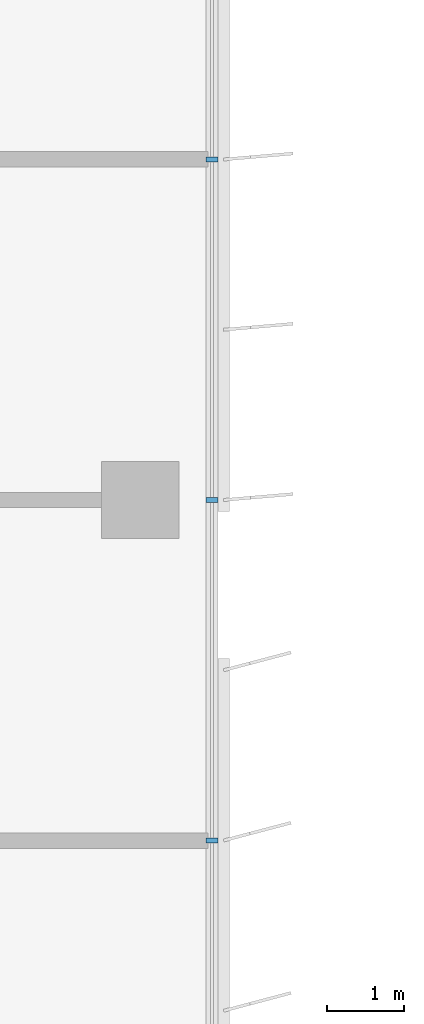
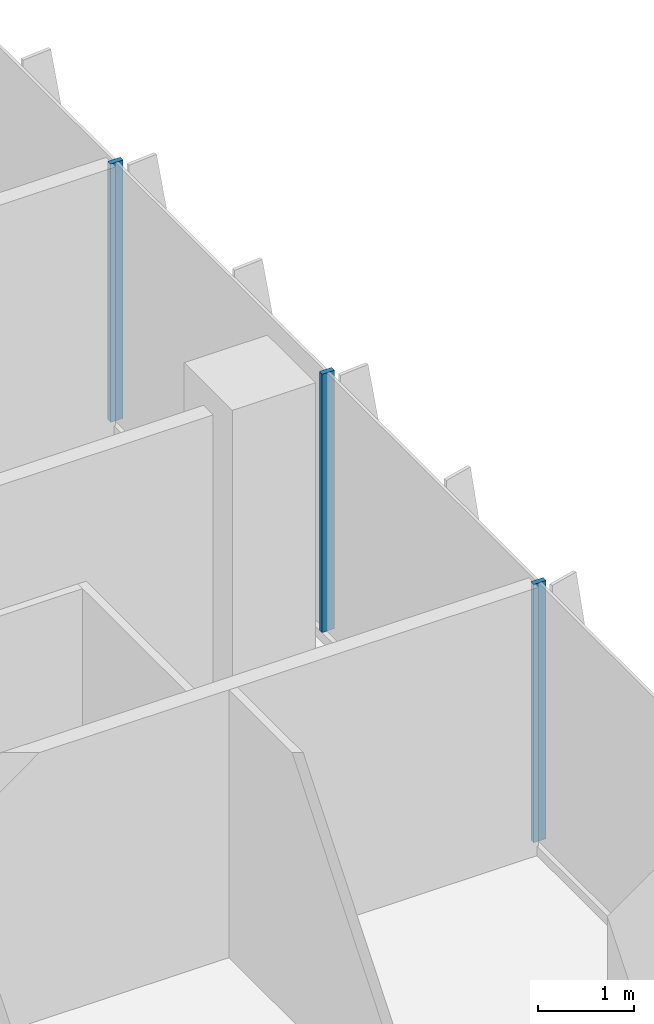
# One storey, part 5 of 21: 3 members, 1 element without a shape of its own.
"""IFC4 building model written with IfcOpenShell, lengths in metres."""

from ifc_helpers import new_model, si_unit, direction, frame, origin, origin_2d, place, context, subcontext, project, spatial, rectangle, extrude, source, transform, mapped, material, material_profile, profile_set, type_object, element, aggregate, save


model = new_model("IFC4")

# Units and contexts
model_context = context("Model", 3, precision=1e-05, world=origin(), true_north=direction((0.0, 1.0)))
body_context = subcontext(model_context, "Body", "Model", "MODEL_VIEW")
ifc_project = project(units=[si_unit("LENGTHUNIT", "METRE"), si_unit("AREAUNIT", "SQUARE_METRE"), si_unit("VOLUMEUNIT", "CUBIC_METRE"), si_unit("PLANEANGLEUNIT", "RADIAN"), si_unit("MASSUNIT", "GRAM", prefix="KILO")], contexts=[model_context])

# Site, building, storey
site_placement = place(None, origin())
site = spatial("IfcSite", under=ifc_project, at=site_placement, CompositionType="ELEMENT")
building_placement = place(site_placement, origin())
building = spatial("IfcBuilding", under=site, at=building_placement, Name="Kemantara Hotel Tower", CompositionType="ELEMENT")
storey_placement = place(building_placement, frame((0.0, 0.0, 182.699951171875)))
storey = spatial("IfcBuildingStorey", under=building, at=storey_placement, Name="L45", CompositionType="ELEMENT", Elevation=182.699951171875)

# Curtain wall, members
ifc_material_1 = material(Name="Low-E tinted double insulated glass 36 mm", Category="glass")
curtain_wall_type = type_object("IfcCurtainWallType", Name="TOWER CURTAIN WALL, FRONT FACES", PredefinedType="USERDEFINED", material=ifc_material_1)
curtain_wall_placement = place(storey_placement, origin())
curtain_wall = element("IfcCurtainWall", 1, at=curtain_wall_placement, inside=storey, type_object=curtain_wall_type, Name="CW4 L45 T3-R17-1", ObjectType="TOWER CURTAIN WALL, FRONT FACES", PredefinedType="USERDEFINED")
ifc_material_2 = material(Name="Aluminium 6063-T6 bronze anodised", Category="aluminium")
ifc_material_profile = material_profile(ifc_material_2, rectangle(XDim=0.14990234375, YDim=0.06005859375, at=origin_2d()), Name="TOWER CURTAIN WALL, FRONT FACES MULLION")
ifc_profile_set = profile_set([ifc_material_profile], Name="Aluminium 6063-T6 bronze anodised")
member_type = type_object("IfcMemberType", Name="TOWER CURTAIN WALL, FRONT FACES MULLION", PredefinedType="MULLION", material=ifc_profile_set)
shared_shape = source(origin(), body_context, "Body", "SweptSolid", [
    extrude(rectangle(XDim=0.14990234375, YDim=0.06005859375, at=origin_2d()), origin(), (0.0, 0.0, 1.0), 3.280029296875),
])
member_1_placement = place(storey_placement, frame((21.925048828125, 31.800048828125, 0.1201171875), z_axis=(0.0, 0.0, 1.0), x_axis=(-1.0, 0.0, 0.0)))
member_1 = element("IfcMember", 2, at=member_1_placement, type_object=member_type, Name="CW4 mullion T3-R17-1.3", PredefinedType="MULLION", context=body_context, shape_type="MappedRepresentation", body=[
    mapped(shared_shape, transform((0.0, 0.0, 0.0))),
])
member_2_placement = place(storey_placement, frame((21.925048828125, 36.199951171875, 0.1201171875), z_axis=(0.0, 0.0, 1.0), x_axis=(-1.0, 0.0, 0.0)))
member_2 = element("IfcMember", 3, at=member_2_placement, type_object=member_type, Name="CW4 mullion T3-R17-1.4", PredefinedType="MULLION", context=body_context, shape_type="MappedRepresentation", body=[
    mapped(shared_shape, transform((0.0, 0.0, 0.0))),
])
member_3_placement = place(storey_placement, frame((21.925048828125, 40.60009765625, 0.1201171875), z_axis=(0.0, 0.0, 1.0), x_axis=(-1.0, 0.0, 0.0)))
member_3 = element("IfcMember", 4, at=member_3_placement, type_object=member_type, Name="CW4 mullion T3-R17-1.5", PredefinedType="MULLION", context=body_context, shape_type="MappedRepresentation", body=[
    mapped(shared_shape, transform((0.0, 0.0, 0.0))),
])
aggregate(curtain_wall, [member_1, member_2, member_3])

save(model, "model.ifc")
